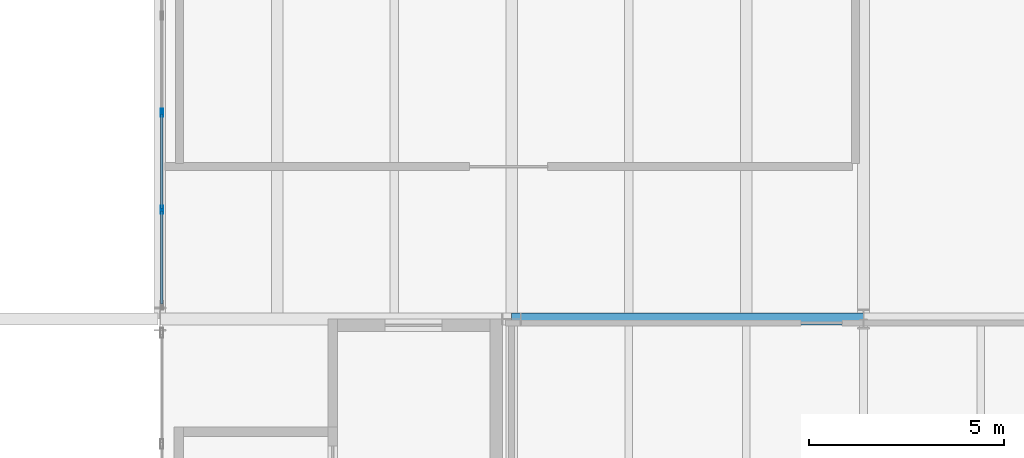
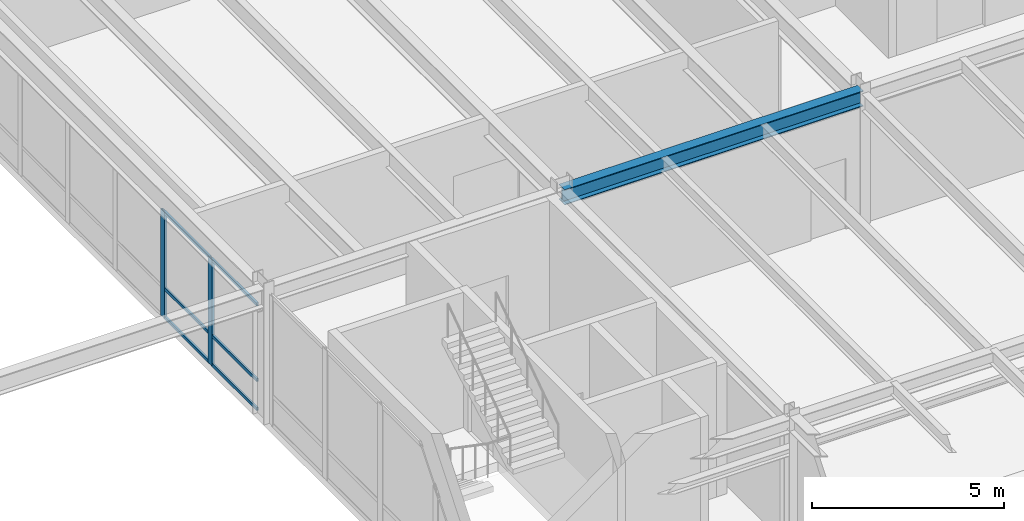
# One storey, part 77 of 115: 8 members, 1 beam, 1 element without a shape of its own.
"""IFC4 building model written with IfcOpenShell, lengths in metres."""

import ifcopenshell
import ifcopenshell.guid

model = None  # the IFC model being written
_history = None  # IfcOwnerHistory: only IFC2X3 demands one
_inside = {}  # id of a spatial element -> (the spatial element, [elements in it])
_under = {}  # id of a project, library or spatial element -> (it, [spatial elements below it])
_declared = {}  # id of a project -> (the project, [libraries it declares])
_typed = {}  # id of a type object -> (the type object, [elements of that type])
_made_of = {}  # id of a material, layer set ... -> (it, [elements and type objects made of it])


def new_model(schema):
    """Start an empty IFC model of exactly this schema.

    Asked for "IFC4X3", IfcOpenShell would pick the latest addendum, in which some entities
    have other attributes; the version numbers below select the first issue.
    IFC2X3 requires an IfcOwnerHistory on every rooted entity: one is made here for all.
    """
    global model, _history
    if schema == "IFC4X3":
        model = ifcopenshell.file(schema_version=(4, 3, 0, 0))
    else:
        model = ifcopenshell.file(schema=schema)
    _inside.clear()
    _under.clear()
    _declared.clear()
    _typed.clear()
    _made_of.clear()
    _history = None
    if model.schema == "IFC2X3":
        org = make("IfcOrganization", Name="unknown")
        user = make(
            "IfcPersonAndOrganization",
            ThePerson=make("IfcPerson", FamilyName="unknown"),
            TheOrganization=org,
        )
        app = make(
            "IfcApplication",
            ApplicationDeveloper=org,
            Version="unknown",
            ApplicationFullName="unknown",
            ApplicationIdentifier="unknown",
        )
        _history = make(
            "IfcOwnerHistory",
            OwningUser=user,
            OwningApplication=app,
            ChangeAction="ADDED",
            CreationDate=0,
        )
    return model


def make(cls, **values):
    """One entity of the class cls with the attributes given. An attribute that is None is left unset."""
    return model.create_entity(
        cls, **{name: value for name, value in values.items() if value is not None}
    )


def rooted(cls, **values):
    """An entity with a GlobalId (a new one), such as an element, a storey or a relation."""
    return make(cls, GlobalId=ifcopenshell.guid.new(), OwnerHistory=_history, **values)


def si_unit(unit_type, name, prefix=None):
    """IfcSIUnit, for example si_unit("LENGTHUNIT", "METRE", prefix="MILLI")."""
    return make("IfcSIUnit", UnitType=unit_type, Prefix=prefix, Name=name)


def assignment(units):
    """IfcUnitAssignment: the units of a project."""
    return None if units is None else make("IfcUnitAssignment", Units=units)


def point(xyz):
    """IfcCartesianPoint."""
    return None if xyz is None else make("IfcCartesianPoint", Coordinates=xyz)


def direction(xyz):
    """IfcDirection."""
    return None if xyz is None else make("IfcDirection", DirectionRatios=xyz)


def frame(location, z_axis=None, x_axis=None):
    """IfcAxis2Placement3D, a coordinate frame: its origin and axes. An axis left out is left unset."""
    return make(
        "IfcAxis2Placement3D",
        Location=point(location),
        Axis=direction(z_axis),
        RefDirection=direction(x_axis),
    )


def frame_2d(location, x_axis=None):
    """IfcAxis2Placement2D, a coordinate frame in the plane: its origin and x axis."""
    return make(
        "IfcAxis2Placement2D", Location=point(location), RefDirection=direction(x_axis)
    )


def origin():
    """The frame at (0, 0, 0) with its axes left unset."""
    return frame((0.0, 0.0, 0.0))


def origin_2d():
    """The frame at (0, 0) in the plane with its x axis left unset."""
    return frame_2d((0.0, 0.0))


def place(relative_to, where):
    """IfcLocalPlacement: puts the frame where relative to a parent placement (None: the world)."""
    return make(
        "IfcLocalPlacement", PlacementRelTo=relative_to, RelativePlacement=where
    )


def context(
    kind, dimensions, precision=None, world=None, true_north=None, identifier=None
):
    """IfcGeometricRepresentationContext, for example the 3D "Model" context."""
    return make(
        "IfcGeometricRepresentationContext",
        ContextIdentifier=identifier,
        ContextType=kind,
        CoordinateSpaceDimension=dimensions,
        Precision=precision,
        WorldCoordinateSystem=world,
        TrueNorth=true_north,
    )


def subcontext(parent, identifier, kind, view, scale=None):
    """IfcGeometricRepresentationSubContext, for example "Body" below "Model"."""
    return make(
        "IfcGeometricRepresentationSubContext",
        ContextIdentifier=identifier,
        ContextType=kind,
        ParentContext=parent,
        TargetScale=scale,
        TargetView=view,
    )


def project(units=None, contexts=None):
    """IfcProject with its units and contexts."""
    return rooted(
        "IfcProject",
        Name="project",
        RepresentationContexts=contexts,
        UnitsInContext=assignment(units),
    )


def spatial(cls, under=None, at=None, **own):
    """A site, building, storey or space (cls), placed at a placement, below another one or the project."""
    s = rooted(cls, ObjectPlacement=at, **own)
    if under is not None:
        _under.setdefault(under.id(), (under, []))[1].append(s)
    return s


def profile(cls, at=None, kind="AREA", **sizes):
    """A parametric profile (cls). Its sizes go by their IFC names, for example OverallWidth=200.0."""
    return make(cls, ProfileType=kind, Position=at, **sizes)


def hollow_rectangle(**sizes):
    """IfcRectangleHollowProfileDef."""
    return profile("IfcRectangleHollowProfileDef", **sizes)


def i_section(**sizes):
    """IfcIShapeProfileDef."""
    return profile("IfcIShapeProfileDef", **sizes)


def extrude(swept, where, along, depth):
    """IfcExtrudedAreaSolid: the profile swept, set in the frame where, extruded along a direction by depth."""
    return make(
        "IfcExtrudedAreaSolid",
        SweptArea=swept,
        Position=where,
        ExtrudedDirection=direction(along),
        Depth=depth,
    )


def shape(context_of_items, identifier, shape_type, items):
    """IfcShapeRepresentation: the items that make up one representation, for example the "Body"."""
    return make(
        "IfcShapeRepresentation",
        ContextOfItems=context_of_items,
        RepresentationIdentifier=identifier,
        RepresentationType=shape_type,
        Items=items,
    )


def material(Name=None, Category=None):
    """IfcMaterial."""
    return make("IfcMaterial", Name=Name, Category=Category)


def layer(
    of_material, thickness, ventilated=None, Name=None, Category=None, Priority=None
):
    """IfcMaterialLayer: one layer of a wall or slab, of a material (None: an air gap)."""
    return make(
        "IfcMaterialLayer",
        Material=of_material,
        LayerThickness=thickness,
        IsVentilated=ventilated,
        Name=Name,
        Category=Category,
        Priority=Priority,
    )


def layer_set(layers, Name=None):
    """IfcMaterialLayerSet."""
    return make("IfcMaterialLayerSet", MaterialLayers=layers, LayerSetName=Name)


def material_profile(
    of_material, cross_section, Name=None, Category=None, Priority=None
):
    """IfcMaterialProfile: a cross section and its material."""
    return make(
        "IfcMaterialProfile",
        Name=Name,
        Material=of_material,
        Profile=cross_section,
        Priority=Priority,
        Category=Category,
    )


def profile_set(profiles, Name=None, composite=None):
    """IfcMaterialProfileSet."""
    return make(
        "IfcMaterialProfileSet",
        Name=Name,
        MaterialProfiles=profiles,
        CompositeProfile=composite,
    )


def made_of(thing, what):
    """Note that an element or type object is made of a material, layer set ...; save() writes the relation."""
    if what is not None:
        _made_of.setdefault(what.id(), (what, []))[1].append(thing)
    return thing


def type_object(cls, material=None, **own):
    """A type object (cls), such as IfcWallType, which elements share."""
    return made_of(rooted(cls, **own), material)


def element(
    cls,
    number,
    at=None,
    inside=None,
    cuts=None,
    type_object=None,
    material=None,
    context=None,
    identifier="Body",
    shape_type=None,
    held_by="IfcProductDefinitionShape",
    body=None,
    shapes=None,
    **own,
):
    """One element of the class cls, such as IfcWall. Its Tag is "e" and its number.

    at: its placement. inside: the storey or other place that contains it. cuts: it is an
    opening in that element (IfcRelVoidsElement). A single representation is given by context,
    identifier, shape_type and body (its items); several are given by shapes. held_by: the class
    of the entity that holds the representations. save() writes the other relations.
    """
    e = rooted(cls, Tag="e%d" % number, ObjectPlacement=at, **own)
    if body is not None:
        shapes = [shape(context, identifier, shape_type, body)]
    if shapes is not None:
        e.Representation = make(held_by, Representations=shapes)
    if inside is not None:
        _inside.setdefault(inside.id(), (inside, []))[1].append(e)
    if cuts is not None:
        rooted(
            "IfcRelVoidsElement", RelatingBuildingElement=cuts, RelatedOpeningElement=e
        )
    if type_object is not None:
        _typed.setdefault(type_object.id(), (type_object, []))[1].append(e)
    return made_of(e, material)


def aggregate(whole, parts):
    """IfcRelAggregates: a whole, such as a stair, and the parts it consists of."""
    return rooted("IfcRelAggregates", RelatingObject=whole, RelatedObjects=parts)


def save(model, path):
    """Write the relations noted so far, then the file.

    IfcRelAggregates (storeys below a building ...), IfcRelContainedInSpatialStructure (elements
    in a storey), IfcRelDefinesByType, IfcRelAssociatesMaterial and IfcRelDeclares: one each for
    every whole, place, type object, material and project.
    """
    for whole, parts in _under.values():
        aggregate(whole, parts)
    for where, things in _inside.values():
        rooted(
            "IfcRelContainedInSpatialStructure",
            RelatedElements=things,
            RelatingStructure=where,
        )
    for kind, things in _typed.values():
        rooted("IfcRelDefinesByType", RelatedObjects=things, RelatingType=kind)
    for what, things in _made_of.values():
        rooted("IfcRelAssociatesMaterial", RelatedObjects=things, RelatingMaterial=what)
    for by, libraries in _declared.values():
        rooted("IfcRelDeclares", RelatingContext=by, RelatedDefinitions=libraries)
    model.write(path)


model = new_model("IFC4")

# Units and contexts
model_context = context("Model", 3, precision=1e-05, world=origin(), true_north=direction((0.0, 1.0)))
body_context = subcontext(model_context, "Body", "Model", "MODEL_VIEW")
ifc_project = project(units=[si_unit("LENGTHUNIT", "METRE"), si_unit("AREAUNIT", "SQUARE_METRE"), si_unit("VOLUMEUNIT", "CUBIC_METRE"), si_unit("PLANEANGLEUNIT", "RADIAN"), si_unit("MASSUNIT", "GRAM", prefix="KILO")], contexts=[model_context])

# Site, building, storey
site_placement = place(None, origin())
site = spatial("IfcSite", under=ifc_project, at=site_placement, CompositionType="ELEMENT")
building_placement = place(site_placement, origin())
building = spatial("IfcBuilding", under=site, at=building_placement, Name="Montelvaro Courts of Justice", CompositionType="ELEMENT")
storey_placement = place(building_placement, frame((0.0, 0.0, 9.89990234375)))
storey = spatial("IfcBuildingStorey", under=building, at=storey_placement, Name="L02", CompositionType="ELEMENT", Elevation=9.89990234375)

# Beam
ifc_material_1 = material(Name="Steel S355", Category="steel")
ifc_material_profile_1 = material_profile(ifc_material_1, i_section(OverallWidth=0.300048828125, OverallDepth=0.489990234375, WebThickness=0.011962890625, FlangeThickness=0.02294921875, at=origin_2d()), Name="HEA 500")
ifc_profile_set_1 = profile_set([ifc_material_profile_1], Name="Steel S355")
beam_type = type_object("IfcBeamType", Name="Beam_HEA500", PredefinedType="USERDEFINED", material=ifc_profile_set_1)
beam_placement = place(storey_placement, frame((108.0, 78.0, 3.955078125), z_axis=(1.0, 0.0, 0.0), x_axis=(0.0, 1.0, 0.0)))
element("IfcBeam", 1, at=beam_placement, inside=storey, type_object=beam_type, Name="Beam B-19 L02", ObjectType="GIRDER", PredefinedType="USERDEFINED", context=body_context, shape_type="SweptSolid", body=[
    extrude(i_section(OverallWidth=0.300048828125, OverallDepth=0.489990234375, WebThickness=0.011962890625, FlangeThickness=0.02294921875, at=origin_2d()), origin(), (0.0, 0.0, 1.0), 9.0),
])

# Curtain wall, members
ifc_material_2 = material(Name="Anodised aluminium EN AW-6063", Category="aluminium")
ifc_layer = layer(ifc_material_2, 0.159912109375)
ifc_layer_set = layer_set([ifc_layer], Name="Anodised aluminium EN AW-6063")
curtain_wall_type = type_object("IfcCurtainWallType", Name="CurtainWall_27_1737x418", PredefinedType="USERDEFINED", material=ifc_layer_set)
curtain_wall_placement = place(storey_placement, origin())
curtain_wall = element("IfcCurtainWall", 2, at=curtain_wall_placement, inside=storey, type_object=curtain_wall_type, Name="Curtain Wall CW-27 (L02)", ObjectType="CURTAIN WALL", PredefinedType="USERDEFINED")
ifc_material_profile_2 = material_profile(ifc_material_2, hollow_rectangle(XDim=0.06494140625, YDim=0.2099609375, WallThickness=0.0048828125, at=origin_2d()), Name="ALU-M 65x210")
ifc_profile_set_2 = profile_set([ifc_material_profile_2], Name="Anodised aluminium EN AW-6063")
member_type_1 = type_object("IfcMemberType", Name="CurtainWall_Mullion_65x210", PredefinedType="MULLION", material=ifc_profile_set_2)
member_1_placement = place(storey_placement, frame((99.050048828125, 83.27783203125, 0.0), z_axis=(0.0, 0.0, 1.0), x_axis=(1.0, 0.0, 0.0)))
member_1 = element("IfcMember", 3, at=member_1_placement, type_object=member_type_1, Name="CW-27 mullion 6", PredefinedType="MULLION", context=body_context, shape_type="SweptSolid", body=[
    extrude(hollow_rectangle(XDim=0.06494140625, YDim=0.2099609375, WallThickness=0.0048828125, at=origin_2d()), origin(), (0.0, 0.0, 1.0), 3.39501953125),
])
member_2_placement = place(storey_placement, frame((99.050048828125, 80.79638671875, 0.0), z_axis=(0.0, 0.0, 1.0), x_axis=(1.0, 0.0, 0.0)))
member_2 = element("IfcMember", 4, at=member_2_placement, type_object=member_type_1, Name="CW-27 mullion 7", PredefinedType="MULLION", context=body_context, shape_type="SweptSolid", body=[
    extrude(hollow_rectangle(XDim=0.06494140625, YDim=0.2099609375, WallThickness=0.0048828125, at=origin_2d()), origin(), (0.0, 0.0, 1.0), 3.39501953125),
])
ifc_material_profile_3 = material_profile(ifc_material_2, hollow_rectangle(XDim=0.06005859375, YDim=0.10009765625, WallThickness=0.00341796875, at=origin_2d()), Name="ALU-T 60x100")
ifc_profile_set_3 = profile_set([ifc_material_profile_3], Name="Anodised aluminium EN AW-6063")
member_type_2 = type_object("IfcMemberType", Name="CurtainWall_Transom_60x100", PredefinedType="USERDEFINED", material=ifc_profile_set_3)
member_3_placement = place(storey_placement, frame((99.050048828125, 83.245361328125, 0.030029296875), z_axis=(0.0, -1.0, 0.0), x_axis=(1.0, 0.0, 0.0)))
member_3 = element("IfcMember", 5, at=member_3_placement, type_object=member_type_2, Name="CW-27 transom 6.1", ObjectType="TRANSOM", PredefinedType="USERDEFINED", context=body_context, shape_type="SweptSolid", body=[
    extrude(hollow_rectangle(XDim=0.06005859375, YDim=0.10009765625, WallThickness=0.00341796875, at=origin_2d()), origin(), (0.0, 0.0, 1.0), 2.41650390625),
])
member_4_placement = place(storey_placement, frame((99.050048828125, 83.245361328125, 0.9501953125), z_axis=(0.0, -1.0, 0.0), x_axis=(1.0, 0.0, 0.0)))
member_4 = element("IfcMember", 6, at=member_4_placement, type_object=member_type_2, Name="CW-27 transom 6.2", ObjectType="TRANSOM", PredefinedType="USERDEFINED", context=body_context, shape_type="SweptSolid", body=[
    extrude(hollow_rectangle(XDim=0.06005859375, YDim=0.10009765625, WallThickness=0.00341796875, at=origin_2d()), origin(), (0.0, 0.0, 1.0), 2.41650390625),
])
member_5_placement = place(storey_placement, frame((99.050048828125, 83.245361328125, 3.364990234375), z_axis=(0.0, -1.0, 0.0), x_axis=(1.0, 0.0, 0.0)))
member_5 = element("IfcMember", 7, at=member_5_placement, type_object=member_type_2, Name="CW-27 transom 6.3", ObjectType="TRANSOM", PredefinedType="USERDEFINED", context=body_context, shape_type="SweptSolid", body=[
    extrude(hollow_rectangle(XDim=0.06005859375, YDim=0.10009765625, WallThickness=0.00341796875, at=origin_2d()), origin(), (0.0, 0.0, 1.0), 2.41650390625),
])
member_6_placement = place(storey_placement, frame((99.050048828125, 80.763916015625, 0.030029296875), z_axis=(0.0, -1.0, 0.0), x_axis=(1.0, 0.0, 0.0)))
member_6 = element("IfcMember", 8, at=member_6_placement, type_object=member_type_2, Name="CW-27 transom 7.1", ObjectType="TRANSOM", PredefinedType="USERDEFINED", context=body_context, shape_type="SweptSolid", body=[
    extrude(hollow_rectangle(XDim=0.06005859375, YDim=0.10009765625, WallThickness=0.00341796875, at=origin_2d()), origin(), (0.0, 0.0, 1.0), 2.384033203125),
])
member_7_placement = place(storey_placement, frame((99.050048828125, 80.763916015625, 0.9501953125), z_axis=(0.0, -1.0, 0.0), x_axis=(1.0, 0.0, 0.0)))
member_7 = element("IfcMember", 9, at=member_7_placement, type_object=member_type_2, Name="CW-27 transom 7.2", ObjectType="TRANSOM", PredefinedType="USERDEFINED", context=body_context, shape_type="SweptSolid", body=[
    extrude(hollow_rectangle(XDim=0.06005859375, YDim=0.10009765625, WallThickness=0.00341796875, at=origin_2d()), origin(), (0.0, 0.0, 1.0), 2.384033203125),
])
member_8_placement = place(storey_placement, frame((99.050048828125, 80.763916015625, 3.364990234375), z_axis=(0.0, -1.0, 0.0), x_axis=(1.0, 0.0, 0.0)))
member_8 = element("IfcMember", 10, at=member_8_placement, type_object=member_type_2, Name="CW-27 transom 7.3", ObjectType="TRANSOM", PredefinedType="USERDEFINED", context=body_context, shape_type="SweptSolid", body=[
    extrude(hollow_rectangle(XDim=0.06005859375, YDim=0.10009765625, WallThickness=0.00341796875, at=origin_2d()), origin(), (0.0, 0.0, 1.0), 2.384033203125),
])
aggregate(curtain_wall, [member_1, member_2, member_3, member_4, member_5, member_6, member_7, member_8])

save(model, "model.ifc")
